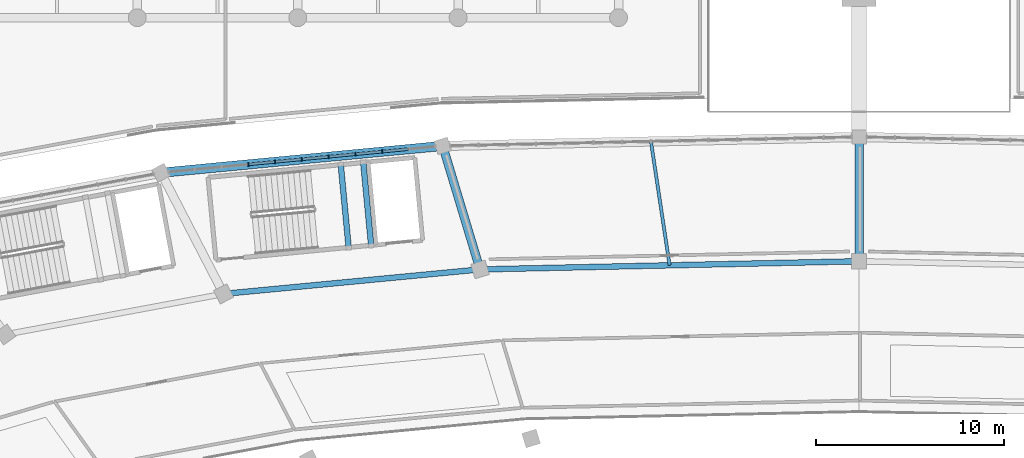
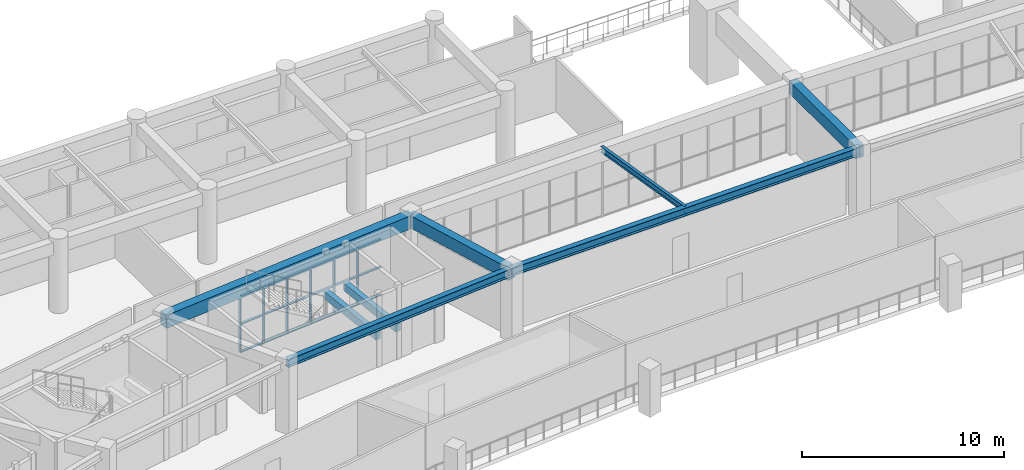
# One storey, part 56 of 141: 24 members, 8 beams, 1 element without a shape of its own.
"""IFC4 building model written with IfcOpenShell, lengths in metres."""

from ifc_helpers import new_model, si_unit, direction, frame, origin, origin_2d, place, context, subcontext, project, spatial, rectangle, i_section, extrude, material, layer, layer_set, material_profile, profile_set, type_object, element, aggregate, save


model = new_model("IFC4")

# Units and contexts
model_context = context("Model", 3, precision=1e-05, world=origin(), true_north=direction((0.0, 1.0)))
body_context = subcontext(model_context, "Body", "Model", "MODEL_VIEW")
ifc_project = project(units=[si_unit("LENGTHUNIT", "METRE"), si_unit("AREAUNIT", "SQUARE_METRE"), si_unit("VOLUMEUNIT", "CUBIC_METRE"), si_unit("PLANEANGLEUNIT", "RADIAN"), si_unit("MASSUNIT", "GRAM", prefix="KILO")], contexts=[model_context])

# Site, building, storey
site_placement = place(None, origin())
site = spatial("IfcSite", under=ifc_project, at=site_placement, CompositionType="ELEMENT")
building_placement = place(site_placement, origin())
building = spatial("IfcBuilding", under=site, at=building_placement, Name="Mphavela Belvedere Stadium", CompositionType="ELEMENT")
storey_placement = place(building_placement, frame((0.0, 0.0, 14.699951171875)))
storey = spatial("IfcBuildingStorey", under=building, at=storey_placement, Name="L03", CompositionType="ELEMENT", Elevation=14.699951171875)

# Beams
ifc_material_1 = material(Name="Steel S355", Category="steel")
ifc_material_profile_1 = material_profile(ifc_material_1, i_section(OverallWidth=0.169921875, OverallDepth=0.360107421875, WebThickness=0.008056640625, FlangeThickness=0.0126953125, at=origin_2d()), Name="IPE 360")
ifc_profile_set_1 = profile_set([ifc_material_profile_1], Name="Steel S355")
beam_type_1 = type_object("IfcBeamType", Name="BM-JOIST-IPE360", PredefinedType="JOIST", material=ifc_profile_set_1)
beam_1_placement = place(storey_placement, frame((104.93359375, 153.850830078125, 4.070068359375), z_axis=(-0.148900105887, 0.98885224299, 0.0), x_axis=(-0.98885224299, -0.148900105887, 0.0)))
element("IfcBeam", 1, at=beam_1_placement, inside=storey, type_object=beam_type_1, Name="Concourse floor joist L03-13", PredefinedType="JOIST", context=body_context, shape_type="SweptSolid", body=[
    extrude(i_section(OverallWidth=0.169921875, OverallDepth=0.360107421875, WebThickness=0.008056640625, FlangeThickness=0.0126953125, at=origin_2d()), origin(), (0.0, 0.0, 1.0), 6.6552734375),
])
ifc_material_2 = material(Name="Concrete C40/50", Category="concrete")
ifc_material_profile_2 = material_profile(ifc_material_2, rectangle(XDim=0.300048828125, YDim=0.449951171875, at=origin_2d()), Name="RC 300x450")
ifc_profile_set_2 = profile_set([ifc_material_profile_2], Name="Concrete C40/50")
beam_type_2 = type_object("IfcBeamType", Name="BM-RC300x450", PredefinedType="BEAM", material=ifc_profile_set_2)
for number, where, z_axis, x_axis, name in (
    (2, (87.893798828125, 154.77294921875, 1.824951171875), (-0.094976620198, 0.995479503363, 0.0), (-0.995479503363, -0.094976620198, 0.0), "Core C04 landing trimmer beam L03-1"),
    (3, (89.08837890625, 154.886962890625, 1.824951171875), (-0.094976620198, 0.995479503363, 0.0), (-0.995479503363, -0.094976620198, 0.0), "Core C04 landing trimmer beam L03-2"),
):
    element("IfcBeam", number, at=place(storey_placement, frame(where, z_axis=z_axis, x_axis=x_axis)), inside=storey, type_object=beam_type_2, Name=name, PredefinedType="BEAM", context=body_context, shape_type="SweptSolid", body=[
        extrude(rectangle(XDim=0.300048828125, YDim=0.449951171875, at=origin_2d()), origin(), (0.0, 0.0, 1.0), 4.47021484375),
    ])
ifc_material_3 = material(Name="Concrete C40/50", Category="concrete")
ifc_material_profile_3 = material_profile(ifc_material_3, rectangle(XDim=0.449951171875, YDim=0.75, at=origin_2d()), Name="RC 450x750")
ifc_profile_set_3 = profile_set([ifc_material_profile_3], Name="Concrete C40/50")
beam_type_3 = type_object("IfcBeamType", Name="BM-RC450x750", PredefinedType="BEAM", material=ifc_profile_set_3)
beam_2_placement = place(storey_placement, frame((115.0, 154.0673828125, 3.875), z_axis=(0.0, 1.0, 0.0), x_axis=(-1.0, 0.0, 0.0)))
element("IfcBeam", 4, at=beam_2_placement, inside=storey, type_object=beam_type_3, Name="Radial concourse girder L03 R3R4-13", PredefinedType="BEAM", context=body_context, shape_type="SweptSolid", body=[
    extrude(rectangle(XDim=0.449951171875, YDim=0.75, at=origin_2d()), origin(), (0.0, 0.0, 1.0), 6.6025390625),
])
beam_3_placement = place(storey_placement, frame((94.8671875, 153.634033203125, 3.875), z_axis=(-0.28918755919, 0.95727245631, 0.0), x_axis=(-0.95727245631, -0.28918755919, 0.0)))
element("IfcBeam", 5, at=beam_3_placement, inside=storey, type_object=beam_type_3, Name="Radial concourse girder L03 R3R4-14", PredefinedType="BEAM", context=body_context, shape_type="SweptSolid", body=[
    extrude(rectangle(XDim=0.449951171875, YDim=0.75, at=origin_2d()), origin(), (0.0, 0.0, 1.0), 6.8525390625),
])
ifc_material_4 = material(Name="Concrete C40/50", Category="concrete")
ifc_material_profile_4 = material_profile(ifc_material_4, rectangle(XDim=0.5, YDim=0.800048828125, at=origin_2d()), Name="RC 500x800")
ifc_profile_set_4 = profile_set([ifc_material_profile_4], Name="Concrete C40/50")
beam_type_4 = type_object("IfcBeamType", Name="BM-SPANDREL-800", PredefinedType="SPANDREL", material=ifc_profile_set_4)
beam_4_placement = place(storey_placement, frame((92.885498046875, 160.19384765625, 3.85009765625), z_axis=(-0.995483415661, -0.094935605244, 0.0), x_axis=(0.094935605244, -0.995483415661, 0.0)))
element("IfcBeam", 6, at=beam_4_placement, inside=storey, type_object=beam_type_4, Name="Circumferential girder L03 R4-14", PredefinedType="SPANDREL", context=body_context, shape_type="SweptSolid", body=[
    extrude(rectangle(XDim=0.5, YDim=0.800048828125, at=origin_2d()), origin(), (0.0, 0.0, 1.0), 15.026123046875),
])
ifc_material_5 = material(Name="Steel S355", Category="steel")
ifc_material_profile_5 = material_profile(ifc_material_5, i_section(OverallWidth=0.300048828125, OverallDepth=0.489990234375, WebThickness=0.011962890625, FlangeThickness=0.02294921875, at=origin_2d()), Name="HEA 500")
ifc_profile_set_5 = profile_set([ifc_material_profile_5], Name="Steel S355")
beam_type_5 = type_object("IfcBeamType", Name="BM-STEEL-HEA500", PredefinedType="BEAM", material=ifc_profile_set_5)
beam_5_placement = place(storey_placement, frame((115.0, 154.0673828125, 4.005126953125), z_axis=(-0.999768427465, -0.02151955955, 0.0), x_axis=(0.02151955955, -0.999768427465, 0.0)))
element("IfcBeam", 7, at=beam_5_placement, inside=storey, type_object=beam_type_5, Name="Circumferential girder L03 R3-13", PredefinedType="BEAM", context=body_context, shape_type="SweptSolid", body=[
    extrude(i_section(OverallWidth=0.300048828125, OverallDepth=0.489990234375, WebThickness=0.011962890625, FlangeThickness=0.02294921875, at=origin_2d()), origin(), (0.0, 0.0, 1.0), 20.137451171875),
])
beam_6_placement = place(storey_placement, frame((94.8671875, 153.634033203125, 4.005126953125), z_axis=(-0.995483834103, -0.094931217412, 0.0), x_axis=(0.094931217412, -0.995483834103, 0.0)))
element("IfcBeam", 8, at=beam_6_placement, inside=storey, type_object=beam_type_5, Name="Circumferential girder L03 R3-14", PredefinedType="BEAM", context=body_context, shape_type="SweptSolid", body=[
    extrude(i_section(OverallWidth=0.300048828125, OverallDepth=0.489990234375, WebThickness=0.011962890625, FlangeThickness=0.02294921875, at=origin_2d()), origin(), (0.0, 0.0, 1.0), 13.67919921875),
])

# Curtain wall, members
ifc_material_6 = material(Name="Anodised bronze unitised curtain wall framing")
ifc_layer = layer(ifc_material_6, 0.205078125)
ifc_layer_set = layer_set([ifc_layer], Name="Anodised bronze unitised curtain wall framing")
curtain_wall_type = type_object("IfcCurtainWallType", Name="CW-UNIT-06", PredefinedType="USERDEFINED", material=ifc_layer_set)
curtain_wall_placement = place(storey_placement, origin())
curtain_wall = element("IfcCurtainWall", 9, at=curtain_wall_placement, inside=storey, type_object=curtain_wall_type, Name="Belvedere colonnade curtain wall L03-14", ObjectType="UNITISED CURTAIN WALL", PredefinedType="USERDEFINED")
ifc_material_7 = material(Name="Anodised bronze extruded aluminium", Category="aluminium")
ifc_material_profile_6 = material_profile(ifc_material_7, rectangle(XDim=0.179931640625, YDim=0.06494140625, at=origin_2d()), Name="CW-MUL 180x65")
ifc_profile_set_6 = profile_set([ifc_material_profile_6], Name="Anodised bronze extruded aluminium")
member_type_1 = type_object("IfcMemberType", Name="CWM-180x65", PredefinedType="MULLION", material=ifc_profile_set_6)
member_1_placement = place(storey_placement, frame((89.6708984375, 159.88720703125, 0.0), z_axis=(0.0, 0.0, 1.0), x_axis=(0.094929381996, -0.99548400913, 0.0)))
member_1 = element("IfcMember", 10, at=member_1_placement, type_object=member_type_1, Name="CW-06 mullion 3", PredefinedType="MULLION", context=body_context, shape_type="SweptSolid", body=[
    extrude(rectangle(XDim=0.179931640625, YDim=0.06494140625, at=origin_2d()), origin(), (0.0, 0.0, 1.0), 3.420166015625),
])
member_2_placement = place(storey_placement, frame((88.24951171875, 159.751708984375, 0.0), z_axis=(0.0, 0.0, 1.0), x_axis=(0.094929381996, -0.99548400913, 0.0)))
member_2 = element("IfcMember", 11, at=member_2_placement, type_object=member_type_1, Name="CW-06 mullion 4", PredefinedType="MULLION", context=body_context, shape_type="SweptSolid", body=[
    extrude(rectangle(XDim=0.179931640625, YDim=0.06494140625, at=origin_2d()), origin(), (0.0, 0.0, 1.0), 3.420166015625),
])
member_3_placement = place(storey_placement, frame((86.827880859375, 159.6162109375, 0.0), z_axis=(0.0, 0.0, 1.0), x_axis=(0.094929381996, -0.99548400913, 0.0)))
member_3 = element("IfcMember", 12, at=member_3_placement, type_object=member_type_1, Name="CW-06 mullion 5", PredefinedType="MULLION", context=body_context, shape_type="SweptSolid", body=[
    extrude(rectangle(XDim=0.179931640625, YDim=0.06494140625, at=origin_2d()), origin(), (0.0, 0.0, 1.0), 3.420166015625),
])
member_4_placement = place(storey_placement, frame((85.40625, 159.480712890625, 0.0), z_axis=(0.0, 0.0, 1.0), x_axis=(0.094929381996, -0.99548400913, 0.0)))
member_4 = element("IfcMember", 13, at=member_4_placement, type_object=member_type_1, Name="CW-06 mullion 6", PredefinedType="MULLION", context=body_context, shape_type="SweptSolid", body=[
    extrude(rectangle(XDim=0.179931640625, YDim=0.06494140625, at=origin_2d()), origin(), (0.0, 0.0, 1.0), 3.420166015625),
])
member_5_placement = place(storey_placement, frame((83.984619140625, 159.344970703125, 0.0), z_axis=(0.0, 0.0, 1.0), x_axis=(0.094929381996, -0.99548400913, 0.0)))
member_5 = element("IfcMember", 14, at=member_5_placement, type_object=member_type_1, Name="CW-06 mullion 7", PredefinedType="MULLION", context=body_context, shape_type="SweptSolid", body=[
    extrude(rectangle(XDim=0.179931640625, YDim=0.06494140625, at=origin_2d()), origin(), (0.0, 0.0, 1.0), 3.420166015625),
])
member_6_placement = place(storey_placement, frame((82.563232421875, 159.20947265625, 0.0), z_axis=(0.0, 0.0, 1.0), x_axis=(0.094929381996, -0.99548400913, 0.0)))
member_6 = element("IfcMember", 15, at=member_6_placement, type_object=member_type_1, Name="CW-06 mullion 8", PredefinedType="MULLION", context=body_context, shape_type="SweptSolid", body=[
    extrude(rectangle(XDim=0.179931640625, YDim=0.06494140625, at=origin_2d()), origin(), (0.0, 0.0, 1.0), 3.420166015625),
])
ifc_material_8 = material(Name="Anodised bronze extruded aluminium", Category="aluminium")
ifc_material_profile_7 = material_profile(ifc_material_8, rectangle(XDim=0.139892578125, YDim=0.06005859375, at=origin_2d()), Name="CW-TRN 140x60")
ifc_profile_set_7 = profile_set([ifc_material_profile_7], Name="Anodised bronze extruded aluminium")
member_type_2 = type_object("IfcMemberType", Name="CWT-140x60", PredefinedType="USERDEFINED", material=ifc_profile_set_7)
member_7_placement = place(storey_placement, frame((91.060302734375, 160.019775390625, 0.030029296875), z_axis=(-0.995484195822, -0.094927424215, 0.0), x_axis=(0.094927424215, -0.995484195822, 0.0)))
member_7 = element("IfcMember", 16, at=member_7_placement, type_object=member_type_2, Name="CW-06 transom 2.1", ObjectType="TRANSOM", PredefinedType="USERDEFINED", context=body_context, shape_type="SweptSolid", body=[
    extrude(rectangle(XDim=0.139892578125, YDim=0.06005859375, at=origin_2d()), origin(), (0.0, 0.0, 1.0), 1.363037109375),
])
member_8_placement = place(storey_placement, frame((91.060302734375, 160.019775390625, 1.7099609375), z_axis=(-0.995484195822, -0.094927424215, 0.0), x_axis=(0.094927424215, -0.995484195822, 0.0)))
member_8 = element("IfcMember", 17, at=member_8_placement, type_object=member_type_2, Name="CW-06 transom 2.2", ObjectType="TRANSOM", PredefinedType="USERDEFINED", context=body_context, shape_type="SweptSolid", body=[
    extrude(rectangle(XDim=0.139892578125, YDim=0.06005859375, at=origin_2d()), origin(), (0.0, 0.0, 1.0), 1.363037109375),
])
member_9_placement = place(storey_placement, frame((91.060302734375, 160.019775390625, 3.39013671875), z_axis=(-0.995484195822, -0.094927424215, 0.0), x_axis=(0.094927424215, -0.995484195822, 0.0)))
member_9 = element("IfcMember", 18, at=member_9_placement, type_object=member_type_2, Name="CW-06 transom 2.3", ObjectType="TRANSOM", PredefinedType="USERDEFINED", context=body_context, shape_type="SweptSolid", body=[
    extrude(rectangle(XDim=0.139892578125, YDim=0.06005859375, at=origin_2d()), origin(), (0.0, 0.0, 1.0), 1.363037109375),
])
member_10_placement = place(storey_placement, frame((89.638671875, 159.88427734375, 0.030029296875), z_axis=(-0.995484195822, -0.094927424215, 0.0), x_axis=(0.094927424215, -0.995484195822, 0.0)))
member_10 = element("IfcMember", 19, at=member_10_placement, type_object=member_type_2, Name="CW-06 transom 3.1", ObjectType="TRANSOM", PredefinedType="USERDEFINED", context=body_context, shape_type="SweptSolid", body=[
    extrude(rectangle(XDim=0.139892578125, YDim=0.06005859375, at=origin_2d()), origin(), (0.0, 0.0, 1.0), 1.363037109375),
])
member_11_placement = place(storey_placement, frame((89.638671875, 159.88427734375, 1.7099609375), z_axis=(-0.995484195822, -0.094927424215, 0.0), x_axis=(0.094927424215, -0.995484195822, 0.0)))
member_11 = element("IfcMember", 20, at=member_11_placement, type_object=member_type_2, Name="CW-06 transom 3.2", ObjectType="TRANSOM", PredefinedType="USERDEFINED", context=body_context, shape_type="SweptSolid", body=[
    extrude(rectangle(XDim=0.139892578125, YDim=0.06005859375, at=origin_2d()), origin(), (0.0, 0.0, 1.0), 1.363037109375),
])
member_12_placement = place(storey_placement, frame((89.638671875, 159.88427734375, 3.39013671875), z_axis=(-0.995484195822, -0.094927424215, 0.0), x_axis=(0.094927424215, -0.995484195822, 0.0)))
member_12 = element("IfcMember", 21, at=member_12_placement, type_object=member_type_2, Name="CW-06 transom 3.3", ObjectType="TRANSOM", PredefinedType="USERDEFINED", context=body_context, shape_type="SweptSolid", body=[
    extrude(rectangle(XDim=0.139892578125, YDim=0.06005859375, at=origin_2d()), origin(), (0.0, 0.0, 1.0), 1.363037109375),
])
member_13_placement = place(storey_placement, frame((88.217041015625, 159.74853515625, 0.030029296875), z_axis=(-0.995484195822, -0.094927424215, 0.0), x_axis=(0.094927424215, -0.995484195822, 0.0)))
member_13 = element("IfcMember", 22, at=member_13_placement, type_object=member_type_2, Name="CW-06 transom 4.1", ObjectType="TRANSOM", PredefinedType="USERDEFINED", context=body_context, shape_type="SweptSolid", body=[
    extrude(rectangle(XDim=0.139892578125, YDim=0.06005859375, at=origin_2d()), origin(), (0.0, 0.0, 1.0), 1.363037109375),
])
member_14_placement = place(storey_placement, frame((88.217041015625, 159.74853515625, 1.7099609375), z_axis=(-0.995484195822, -0.094927424215, 0.0), x_axis=(0.094927424215, -0.995484195822, 0.0)))
member_14 = element("IfcMember", 23, at=member_14_placement, type_object=member_type_2, Name="CW-06 transom 4.2", ObjectType="TRANSOM", PredefinedType="USERDEFINED", context=body_context, shape_type="SweptSolid", body=[
    extrude(rectangle(XDim=0.139892578125, YDim=0.06005859375, at=origin_2d()), origin(), (0.0, 0.0, 1.0), 1.363037109375),
])
member_15_placement = place(storey_placement, frame((88.217041015625, 159.74853515625, 3.39013671875), z_axis=(-0.995484195822, -0.094927424215, 0.0), x_axis=(0.094927424215, -0.995484195822, 0.0)))
member_15 = element("IfcMember", 24, at=member_15_placement, type_object=member_type_2, Name="CW-06 transom 4.3", ObjectType="TRANSOM", PredefinedType="USERDEFINED", context=body_context, shape_type="SweptSolid", body=[
    extrude(rectangle(XDim=0.139892578125, YDim=0.06005859375, at=origin_2d()), origin(), (0.0, 0.0, 1.0), 1.363037109375),
])
member_16_placement = place(storey_placement, frame((86.79541015625, 159.613037109375, 0.030029296875), z_axis=(-0.995482581407, -0.094944352734, 0.0), x_axis=(0.094944352734, -0.995482581407, 0.0)))
member_16 = element("IfcMember", 25, at=member_16_placement, type_object=member_type_2, Name="CW-06 transom 5.1", ObjectType="TRANSOM", PredefinedType="USERDEFINED", context=body_context, shape_type="SweptSolid", body=[
    extrude(rectangle(XDim=0.139892578125, YDim=0.06005859375, at=origin_2d()), origin(), (0.0, 0.0, 1.0), 1.36279296875),
])
member_17_placement = place(storey_placement, frame((86.79541015625, 159.613037109375, 1.7099609375), z_axis=(-0.995482581407, -0.094944352734, 0.0), x_axis=(0.094944352734, -0.995482581407, 0.0)))
member_17 = element("IfcMember", 26, at=member_17_placement, type_object=member_type_2, Name="CW-06 transom 5.2", ObjectType="TRANSOM", PredefinedType="USERDEFINED", context=body_context, shape_type="SweptSolid", body=[
    extrude(rectangle(XDim=0.139892578125, YDim=0.06005859375, at=origin_2d()), origin(), (0.0, 0.0, 1.0), 1.36279296875),
])
member_18_placement = place(storey_placement, frame((86.79541015625, 159.613037109375, 3.39013671875), z_axis=(-0.995482581407, -0.094944352734, 0.0), x_axis=(0.094944352734, -0.995482581407, 0.0)))
member_18 = element("IfcMember", 27, at=member_18_placement, type_object=member_type_2, Name="CW-06 transom 5.3", ObjectType="TRANSOM", PredefinedType="USERDEFINED", context=body_context, shape_type="SweptSolid", body=[
    extrude(rectangle(XDim=0.139892578125, YDim=0.06005859375, at=origin_2d()), origin(), (0.0, 0.0, 1.0), 1.36279296875),
])
member_19_placement = place(storey_placement, frame((85.3740234375, 159.4775390625, 0.030029296875), z_axis=(-0.995484195822, -0.094927424215, 0.0), x_axis=(0.094927424215, -0.995484195822, 0.0)))
member_19 = element("IfcMember", 28, at=member_19_placement, type_object=member_type_2, Name="CW-06 transom 6.1", ObjectType="TRANSOM", PredefinedType="USERDEFINED", context=body_context, shape_type="SweptSolid", body=[
    extrude(rectangle(XDim=0.139892578125, YDim=0.06005859375, at=origin_2d()), origin(), (0.0, 0.0, 1.0), 1.363037109375),
])
member_20_placement = place(storey_placement, frame((85.3740234375, 159.4775390625, 1.7099609375), z_axis=(-0.995484195822, -0.094927424215, 0.0), x_axis=(0.094927424215, -0.995484195822, 0.0)))
member_20 = element("IfcMember", 29, at=member_20_placement, type_object=member_type_2, Name="CW-06 transom 6.2", ObjectType="TRANSOM", PredefinedType="USERDEFINED", context=body_context, shape_type="SweptSolid", body=[
    extrude(rectangle(XDim=0.139892578125, YDim=0.06005859375, at=origin_2d()), origin(), (0.0, 0.0, 1.0), 1.363037109375),
])
member_21_placement = place(storey_placement, frame((85.3740234375, 159.4775390625, 3.39013671875), z_axis=(-0.995484195822, -0.094927424215, 0.0), x_axis=(0.094927424215, -0.995484195822, 0.0)))
member_21 = element("IfcMember", 30, at=member_21_placement, type_object=member_type_2, Name="CW-06 transom 6.3", ObjectType="TRANSOM", PredefinedType="USERDEFINED", context=body_context, shape_type="SweptSolid", body=[
    extrude(rectangle(XDim=0.139892578125, YDim=0.06005859375, at=origin_2d()), origin(), (0.0, 0.0, 1.0), 1.363037109375),
])
member_22_placement = place(storey_placement, frame((83.952392578125, 159.342041015625, 0.030029296875), z_axis=(-0.995484195822, -0.094927424215, 0.0), x_axis=(0.094927424215, -0.995484195822, 0.0)))
member_22 = element("IfcMember", 31, at=member_22_placement, type_object=member_type_2, Name="CW-06 transom 7.1", ObjectType="TRANSOM", PredefinedType="USERDEFINED", context=body_context, shape_type="SweptSolid", body=[
    extrude(rectangle(XDim=0.139892578125, YDim=0.06005859375, at=origin_2d()), origin(), (0.0, 0.0, 1.0), 1.363037109375),
])
member_23_placement = place(storey_placement, frame((83.952392578125, 159.342041015625, 1.7099609375), z_axis=(-0.995484195822, -0.094927424215, 0.0), x_axis=(0.094927424215, -0.995484195822, 0.0)))
member_23 = element("IfcMember", 32, at=member_23_placement, type_object=member_type_2, Name="CW-06 transom 7.2", ObjectType="TRANSOM", PredefinedType="USERDEFINED", context=body_context, shape_type="SweptSolid", body=[
    extrude(rectangle(XDim=0.139892578125, YDim=0.06005859375, at=origin_2d()), origin(), (0.0, 0.0, 1.0), 1.363037109375),
])
member_24_placement = place(storey_placement, frame((83.952392578125, 159.342041015625, 3.39013671875), z_axis=(-0.995484195822, -0.094927424215, 0.0), x_axis=(0.094927424215, -0.995484195822, 0.0)))
member_24 = element("IfcMember", 33, at=member_24_placement, type_object=member_type_2, Name="CW-06 transom 7.3", ObjectType="TRANSOM", PredefinedType="USERDEFINED", context=body_context, shape_type="SweptSolid", body=[
    extrude(rectangle(XDim=0.139892578125, YDim=0.06005859375, at=origin_2d()), origin(), (0.0, 0.0, 1.0), 1.363037109375),
])
aggregate(curtain_wall, [member_1, member_2, member_3, member_4, member_5, member_6, member_7, member_8, member_9, member_10, member_11, member_12, member_13, member_14, member_15, member_16, member_17, member_18, member_19, member_20, member_21, member_22, member_23, member_24])

save(model, "model.ifc")
